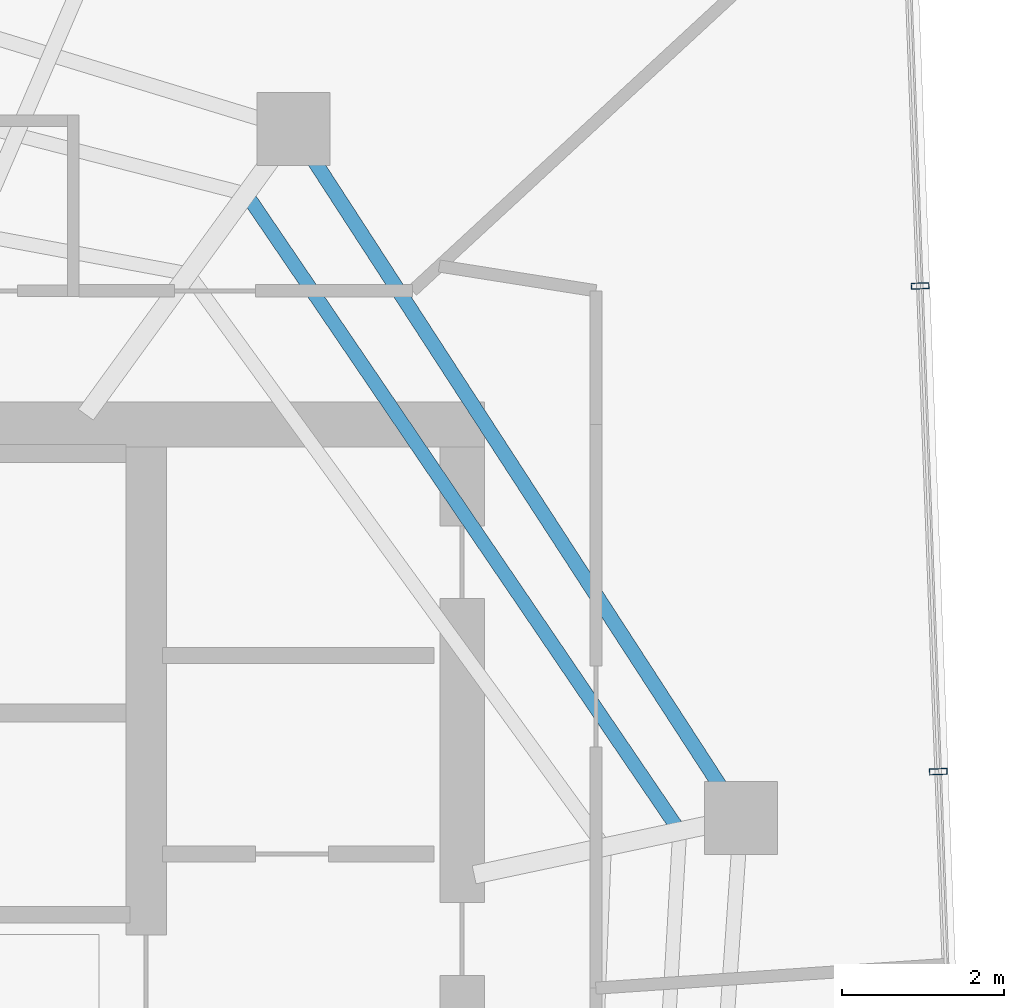
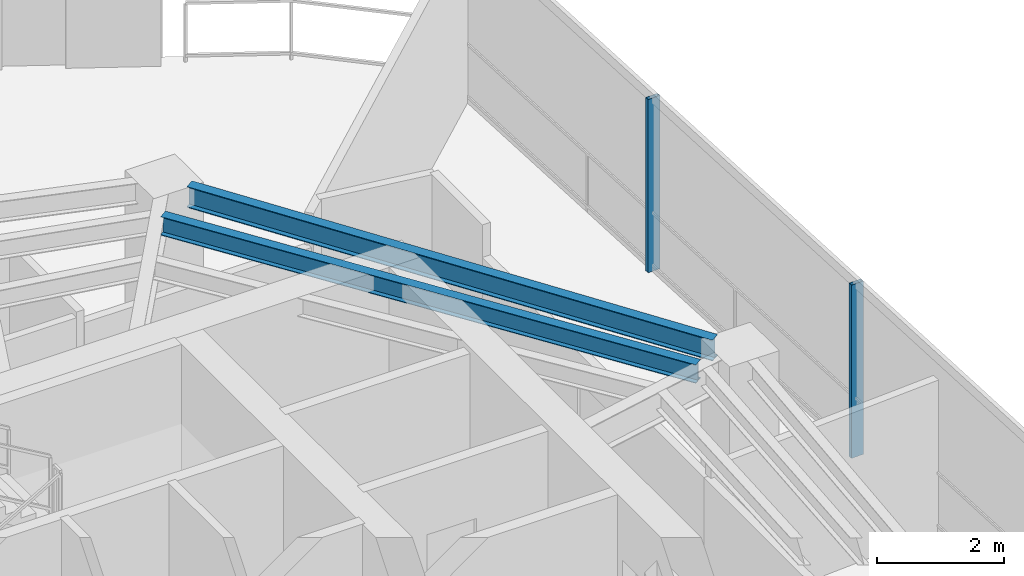
# One storey, part 9 of 19: 2 beams, 2 members, 1 element without a shape of its own.
"""IFC4 building model written with IfcOpenShell, lengths in metres."""

from ifc_helpers import new_model, si_unit, direction, frame, origin, origin_2d, place, context, subcontext, project, spatial, hollow_rectangle, i_section, extrude, material, layer, layer_set, material_profile, profile_set, type_object, element, aggregate, save


model = new_model("IFC4")

# Units and contexts
model_context = context("Model", 3, precision=1e-05, world=origin(), true_north=direction((0.0, 1.0)))
body_context = subcontext(model_context, "Body", "Model", "MODEL_VIEW")
ifc_project = project(units=[si_unit("LENGTHUNIT", "METRE"), si_unit("AREAUNIT", "SQUARE_METRE"), si_unit("VOLUMEUNIT", "CUBIC_METRE"), si_unit("PLANEANGLEUNIT", "RADIAN"), si_unit("MASSUNIT", "GRAM", prefix="KILO")], contexts=[model_context])

# Site, building, storey
site_placement = place(None, origin())
site = spatial("IfcSite", under=ifc_project, at=site_placement, CompositionType="ELEMENT")
building_placement = place(site_placement, origin())
building = spatial("IfcBuilding", under=site, at=building_placement, Name="Qarnah Convention Tower", CompositionType="ELEMENT")
storey_placement = place(building_placement, frame((0.0, 0.0, 187.800048828125)))
storey = spatial("IfcBuildingStorey", under=building, at=storey_placement, Name="L50", CompositionType="ELEMENT", Elevation=187.800048828125)

# Beams
ifc_material_1 = material(Name="Structural steel S355JR", Category="steel")
ifc_material_profile_1 = material_profile(ifc_material_1, i_section(OverallWidth=0.172119140625, OverallDepth=0.35595703125, WebThickness=0.007080078125, FlangeThickness=0.011962890625, at=origin_2d()), Name="W360X51")
ifc_profile_set_1 = profile_set([ifc_material_profile_1], Name="Structural steel S355JR")
beam_type_1 = type_object("IfcBeamType", Name="BM-JST-W360", PredefinedType="JOIST", material=ifc_profile_set_1)
beam_1_placement = place(storey_placement, frame((50.23291015625, 29.2548828125, 3.141845703125), z_axis=(-0.562374425421, 0.826882703672, 0.0), x_axis=(-0.826882703672, -0.562374425421, 0.0)))
element("IfcBeam", 1, at=beam_1_placement, inside=storey, type_object=beam_type_1, Name="L50 joist BM-L50-SJST-01", PredefinedType="JOIST", context=body_context, shape_type="SweptSolid", body=[
    extrude(i_section(OverallWidth=0.172119140625, OverallDepth=0.35595703125, WebThickness=0.007080078125, FlangeThickness=0.011962890625, at=origin_2d()), origin(), (0.0, 0.0, 1.0), 9.33154296875),
])
ifc_material_profile_2 = material_profile(ifc_material_1, i_section(OverallWidth=0.179931640625, OverallDepth=0.39990234375, WebThickness=0.009033203125, FlangeThickness=0.013916015625, at=origin_2d()), Name="IPE400")
ifc_profile_set_2 = profile_set([ifc_material_profile_2], Name="Structural steel S355JR")
beam_type_2 = type_object("IfcBeamType", Name="BM-SPN-IPE400", PredefinedType="SPANDREL", material=ifc_profile_set_2)
beam_2_placement = place(storey_placement, frame((50.801025390625, 29.7109375, 3.119873046875), z_axis=(-0.544586178954, 0.838704890705, 0.0), x_axis=(-0.838704890705, -0.544586178954, 0.0)))
element("IfcBeam", 2, at=beam_2_placement, inside=storey, type_object=beam_type_2, Name="L50 spandrel BM-L50-SPN-01", PredefinedType="SPANDREL", context=body_context, shape_type="SweptSolid", body=[
    extrude(i_section(OverallWidth=0.179931640625, OverallDepth=0.39990234375, WebThickness=0.009033203125, FlangeThickness=0.013916015625, at=origin_2d()), origin(), (0.0, 0.0, 1.0), 9.261962890625),
])

# Curtain wall, members
ifc_material_2 = material(Name="Tempered Low-E dark glass", Category="glass")
ifc_layer = layer(ifc_material_2, 0.174072265625)
ifc_layer_set = layer_set([ifc_layer], Name="Tempered Low-E dark glass")
curtain_wall_type = type_object("IfcCurtainWallType", Name="CWS-04", PredefinedType="NOTDEFINED", material=ifc_layer_set)
curtain_wall_placement = place(storey_placement, origin())
curtain_wall = element("IfcCurtainWall", 3, at=curtain_wall_placement, inside=storey, type_object=curtain_wall_type, Name="L50 unitised curtain wall CW-L50-F1", PredefinedType="NOTDEFINED")
ifc_material_3 = material(Name="Black anodised aluminium", Category="aluminium")
ifc_material_profile_3 = material_profile(ifc_material_3, hollow_rectangle(XDim=0.074951171875, YDim=0.219970703125, WallThickness=0.0048828125, at=origin_2d()), Name="MUL-75X220")
ifc_profile_set_3 = profile_set([ifc_material_profile_3], Name="Black anodised aluminium")
member_type = type_object("IfcMemberType", Name="MUL-T4", PredefinedType="MULLION", material=ifc_profile_set_3)
member_1_placement = place(storey_placement, frame((53.251220703125, 35.909912109375, 0.0), z_axis=(0.0, 0.0, 1.0), x_axis=(0.037709646698, -0.999288738326, 0.0)))
member_1 = element("IfcMember", 4, at=member_1_placement, type_object=member_type, Name="CW-L50-F1 mullion 2", PredefinedType="MULLION", context=body_context, shape_type="SweptSolid", body=[
    extrude(hollow_rectangle(XDim=0.074951171875, YDim=0.219970703125, WallThickness=0.0048828125, at=origin_2d()), origin(), (0.0, 0.0, 1.0), 3.320068359375),
])
member_2_placement = place(storey_placement, frame((53.477294921875, 29.91552734375, 0.0), z_axis=(0.0, 0.0, 1.0), x_axis=(0.037709646698, -0.999288738326, 0.0)))
member_2 = element("IfcMember", 5, at=member_2_placement, type_object=member_type, Name="CW-L50-F1 mullion 3", PredefinedType="MULLION", context=body_context, shape_type="SweptSolid", body=[
    extrude(hollow_rectangle(XDim=0.074951171875, YDim=0.219970703125, WallThickness=0.0048828125, at=origin_2d()), origin(), (0.0, 0.0, 1.0), 3.320068359375),
])
aggregate(curtain_wall, [member_1, member_2])

save(model, "model.ifc")
